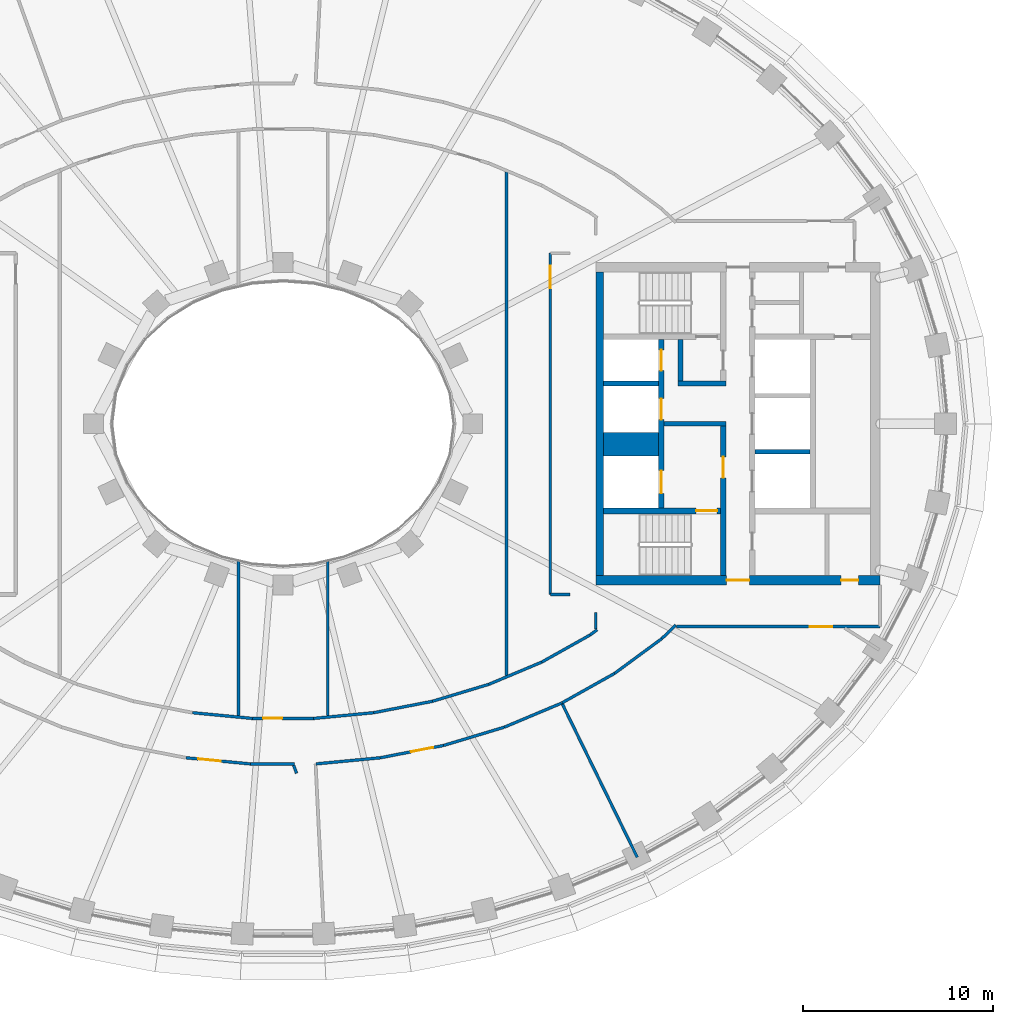
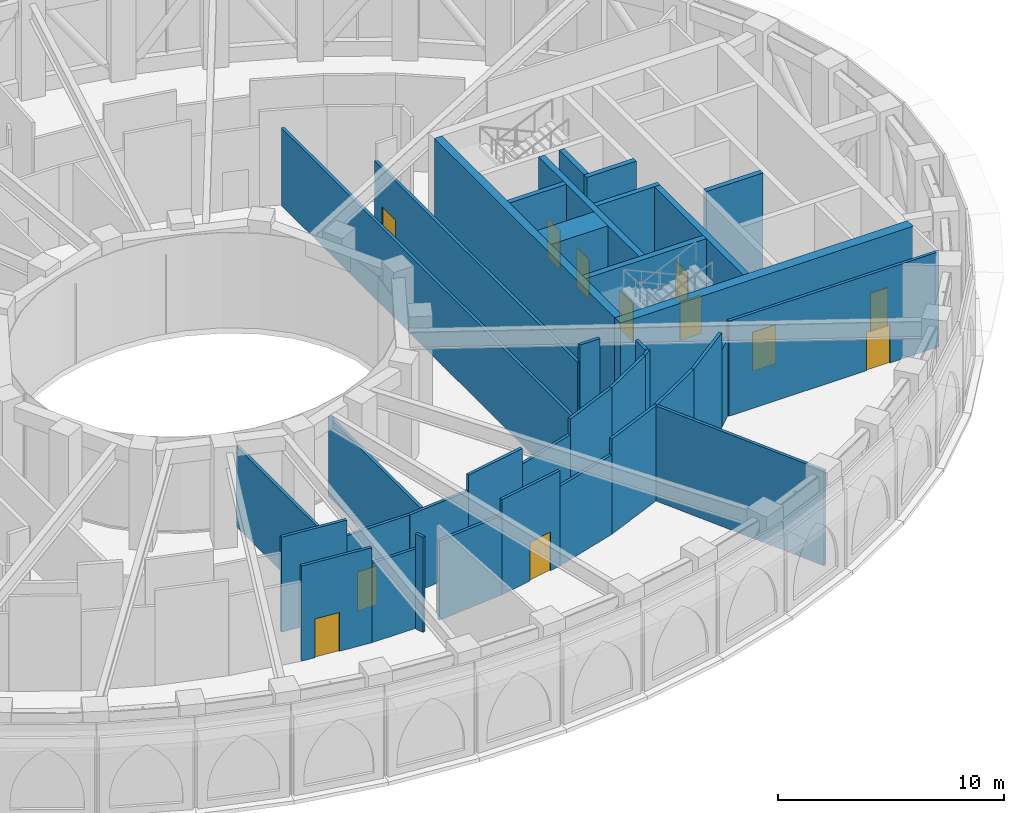
# One storey, part 7 of 25: 37 walls, 12 doors, 12 openings.
"""IFC4 building model written with IfcOpenShell, lengths in metres."""

from ifc_helpers import new_model, si_unit, direction, frame, frame_2d, origin, place, context, subcontext, project, spatial, rectangle, extrude, material, layer, layer_set, type_object, element, fill, save


model = new_model("IFC4")

# Units and contexts
model_context = context("Model", 3, precision=1e-05, world=origin(), true_north=direction((0.0, 1.0)))
body_context = subcontext(model_context, "Body", "Model", "MODEL_VIEW")
ifc_project = project(units=[si_unit("LENGTHUNIT", "METRE"), si_unit("AREAUNIT", "SQUARE_METRE"), si_unit("VOLUMEUNIT", "CUBIC_METRE"), si_unit("PLANEANGLEUNIT", "RADIAN"), si_unit("MASSUNIT", "GRAM", prefix="KILO")], contexts=[model_context])

# Site, building, storey
site_placement = place(None, origin())
site = spatial("IfcSite", under=ifc_project, at=site_placement, CompositionType="ELEMENT")
building_placement = place(site_placement, origin())
building = spatial("IfcBuilding", under=site, at=building_placement, Name="Noorbagh Ring Tower", CompositionType="ELEMENT")
storey_placement = place(building_placement, frame((0.0, 0.0, 198.0)))
storey = spatial("IfcBuildingStorey", under=building, at=storey_placement, Name="L46", CompositionType="ELEMENT", Elevation=198.0)

# Wall, opening, door
ifc_material_1 = material(Name="Gypsum board on steel studs", Category="steel")
ifc_layer_1 = layer(ifc_material_1, 0.14990234375)
ifc_layer_set_1 = layer_set([ifc_layer_1], Name="Gypsum board on steel studs")
wall_type_1 = type_object("IfcWallType", Name="COMPARTMENT PARTITION 150 EI 60", PredefinedType="PARTITIONING", material=ifc_layer_set_1)
wall_1_placement = place(storey_placement, frame((-5.126953125, -17.623046875, 0.0), z_axis=(0.0, 0.0, 1.0), x_axis=(0.995490025265, -0.094866272186, 0.0)))
wall_1 = element("IfcWall", 1, at=wall_1_placement, inside=storey, type_object=wall_type_1, Name="L46/wall/P39", PredefinedType="PARTITIONING", context=body_context, shape_type="SweptSolid", body=[
    extrude(rectangle(XDim=3.42529296875, YDim=0.14990234375, at=frame_2d((1.712646484375, 0.0))), origin(), (0.0, 0.0, 1.0), 5.14990234375),
])
opening_1_placement = place(wall_1_placement, frame((0.64990234375, 0.0, 0.0)))
opening_1 = element("IfcOpeningElement", 2, at=opening_1_placement, cuts=wall_1, Name="Opening D7", PredefinedType="OPENING", context=body_context, shape_type="SweptSolid", body=[
    extrude(rectangle(XDim=1.199951171875, YDim=2.10009765625, at=frame_2d((0.60009765625, 1.050048828125))), frame((0.0, 0.0849609375, 0.0), z_axis=(0.0, -1.0, 0.0), x_axis=(1.0, 0.0, 0.0)), (0.0, 0.0, 1.0), 0.169921875),
])
ifc_material_2 = material(Name="Timber, painted", Category="wood")
door_type_1 = type_object("IfcDoorType", Name="DOOR 1200 X 2100 FD60", OperationType="SINGLE_SWING_LEFT", PredefinedType="DOOR", material=ifc_material_2)
door_1_placement = place(opening_1_placement, origin())
door_1 = element("IfcDoor", 3, at=door_1_placement, inside=storey, type_object=door_type_1, Name="L46-D03", OperationType="SINGLE_SWING_LEFT", OverallHeight=2.10009765625, OverallWidth=1.199951171875, PredefinedType="DOOR", context=body_context, shape_type="SweptSolid", body=[
    extrude(rectangle(XDim=1.199951171875, YDim=2.10009765625, at=frame_2d((0.60009765625, 1.050048828125))), frame((0.0, 0.02490234375, 0.0), z_axis=(0.0, -1.0, 0.0), x_axis=(1.0, 0.0, 0.0)), (0.0, 0.0, 1.0), 0.050048828125),
])
fill(opening_1, door_1)

# Walls
wall_2_placement = place(storey_placement, frame((-4.782958984375, -15.243896484375, 0.0), z_axis=(0.0, 0.0, 1.0), x_axis=(0.995455539839, -0.095227455097, 0.0)))
element("IfcWall", 4, at=wall_2_placement, inside=storey, type_object=wall_type_1, Name="L46/wall/P41", PredefinedType="PARTITIONING", context=body_context, shape_type="SweptSolid", body=[
    extrude(rectangle(XDim=3.1943359375, YDim=0.14990234375, at=frame_2d((1.59716796875, 0.0))), origin(), (0.0, 0.0, 1.0), 5.14990234375),
])
wall_3_placement = place(storey_placement, frame((-2.35693359375, -15.39697265625, 0.0), z_axis=(0.0, 0.0, 1.0), x_axis=(0.0, 1.0, 0.0)))
element("IfcWall", 5, at=wall_3_placement, inside=storey, type_object=wall_type_1, Name="L46/wall/P43", PredefinedType="PARTITIONING", context=body_context, shape_type="SweptSolid", body=[
    extrude(rectangle(XDim=8.18701171875, YDim=0.14990234375, at=frame_2d((4.093505859375, 0.0))), origin(), (0.0, 0.0, 1.0), 4.35009765625),
])
wall_4_placement = place(storey_placement, frame((-1.717041015625, -17.947998046875, 0.0), z_axis=(0.0, 0.0, 1.0), x_axis=(1.0, 0.0, 0.0)))
element("IfcWall", 6, at=wall_4_placement, inside=storey, type_object=wall_type_1, Name="L46/wall/P45", PredefinedType="PARTITIONING", context=body_context, shape_type="SweptSolid", body=[
    extrude(rectangle(XDim=2.330078125, YDim=0.14990234375, at=frame_2d((1.1650390625, 0.0))), origin(), (0.0, 0.0, 1.0), 4.300048828125),
])

# Wall, opening, door
wall_5_placement = place(storey_placement, frame((-1.60302734375, -15.548095703125, 0.0), z_axis=(0.0, 0.0, 1.0), x_axis=(1.0, 0.0, 0.0)))
wall_5 = element("IfcWall", 7, at=wall_5_placement, inside=storey, type_object=wall_type_1, Name="L46/wall/P47", PredefinedType="PARTITIONING", context=body_context, shape_type="SweptSolid", body=[
    extrude(rectangle(XDim=3.2060546875, YDim=0.14990234375, at=frame_2d((1.60302734375, 0.0))), origin(), (0.0, 0.0, 1.0), 4.300048828125),
])
opening_2_placement = place(wall_5_placement, frame((0.555908203125, 0.0, 0.0)))
opening_2 = element("IfcOpeningElement", 8, at=opening_2_placement, cuts=wall_5, Name="Opening D6", PredefinedType="OPENING", context=body_context, shape_type="SweptSolid", body=[
    extrude(rectangle(XDim=1.0, YDim=2.10009765625, at=frame_2d((0.5, 1.050048828125))), frame((0.0, 0.0849609375, 0.0), z_axis=(0.0, -1.0, 0.0), x_axis=(1.0, 0.0, 0.0)), (0.0, 0.0, 1.0), 0.169921875),
])
ifc_material_3 = material(Name="Timber, painted", Category="wood")
door_type_2 = type_object("IfcDoorType", Name="DOOR 1000 X 2100 FD60", OperationType="SINGLE_SWING_LEFT", PredefinedType="DOOR", material=ifc_material_3)
door_2_placement = place(opening_2_placement, origin())
door_2 = element("IfcDoor", 9, at=door_2_placement, inside=storey, type_object=door_type_2, Name="L46-D12", OperationType="SINGLE_SWING_RIGHT", OverallHeight=2.10009765625, OverallWidth=1.0, PredefinedType="DOOR", context=body_context, shape_type="SweptSolid", body=[
    extrude(rectangle(XDim=1.0, YDim=2.10009765625, at=frame_2d((0.5, 1.050048828125))), frame((0.0, 0.02490234375, 0.0), z_axis=(0.0, -1.0, 0.0), x_axis=(1.0, 0.0, 0.0)), (0.0, 0.0, 1.0), 0.050048828125),
])
fill(opening_2, door_2)

# Walls
wall_6_placement = place(storey_placement, frame((0.56005859375, -18.02294921875, 0.0), z_axis=(0.0, 0.0, 1.0), x_axis=(0.339536454316, -0.940592896098, 0.0)))
element("IfcWall", 10, at=wall_6_placement, inside=storey, type_object=wall_type_1, Name="L46/wall/P49", PredefinedType="PARTITIONING", context=body_context, shape_type="SweptSolid", body=[
    extrude(rectangle(XDim=0.4443359375, YDim=0.14990234375, at=frame_2d((0.22216796875, 0.0))), origin(), (0.0, 0.0, 1.0), 5.14990234375),
])
wall_7_placement = place(storey_placement, frame((1.60302734375, -15.548095703125, 0.0), z_axis=(0.0, 0.0, 1.0), x_axis=(0.995455539839, 0.095227455097, 0.0)))
element("IfcWall", 11, at=wall_7_placement, inside=storey, type_object=wall_type_1, Name="L46/wall/P51", PredefinedType="PARTITIONING", context=body_context, shape_type="SweptSolid", body=[
    extrude(rectangle(XDim=3.1943359375, YDim=0.14990234375, at=frame_2d((1.59716796875, 0.0))), origin(), (0.0, 0.0, 1.0), 4.300048828125),
])
wall_8_placement = place(storey_placement, frame((1.737060546875, -17.946044921875, 0.0), z_axis=(0.0, 0.0, 1.0), x_axis=(0.995491282675, 0.094853076484, 0.0)))
element("IfcWall", 12, at=wall_8_placement, inside=storey, type_object=wall_type_1, Name="L46/wall/P55", PredefinedType="PARTITIONING", context=body_context, shape_type="SweptSolid", body=[
    extrude(rectangle(XDim=3.4052734375, YDim=0.14990234375, at=frame_2d((1.70263671875, 0.0))), origin(), (0.0, 0.0, 1.0), 4.300048828125),
])
wall_9_placement = place(storey_placement, frame((2.35693359375, -15.39697265625, 0.0), z_axis=(0.0, 0.0, 1.0), x_axis=(0.0, 1.0, 0.0)))
element("IfcWall", 13, at=wall_9_placement, inside=storey, type_object=wall_type_1, Name="L46/wall/P57", PredefinedType="PARTITIONING", context=body_context, shape_type="SweptSolid", body=[
    extrude(rectangle(XDim=8.18701171875, YDim=0.14990234375, at=frame_2d((4.093505859375, 0.0))), origin(), (0.0, 0.0, 1.0), 4.300048828125),
])
wall_10_placement = place(storey_placement, frame((4.782958984375, -15.243896484375, 0.0), z_axis=(0.0, 0.0, 1.0), x_axis=(0.981672390077, 0.190576280162, 0.0)))
element("IfcWall", 14, at=wall_10_placement, inside=storey, type_object=wall_type_1, Name="L46/wall/P59", PredefinedType="PARTITIONING", context=body_context, shape_type="SweptSolid", body=[
    extrude(rectangle(XDim=3.162841796875, YDim=0.14990234375, at=frame_2d((1.58154296875, 0.0))), origin(), (0.0, 0.0, 1.0), 5.14990234375),
])

# Wall, opening, door
wall_11_placement = place(storey_placement, frame((5.126953125, -17.623046875, 0.0), z_axis=(0.0, 0.0, 1.0), x_axis=(0.981613520879, 0.190879269771, 0.0)))
wall_11 = element("IfcWall", 15, at=wall_11_placement, inside=storey, type_object=wall_type_1, Name="L46/wall/P61", PredefinedType="PARTITIONING", context=body_context, shape_type="SweptSolid", body=[
    extrude(rectangle(XDim=3.399658203125, YDim=0.14990234375, at=frame_2d((1.69970703125, 0.0))), origin(), (0.0, 0.0, 1.0), 5.14990234375),
])
opening_3_placement = place(wall_11_placement, frame((1.64990234375, 0.0, 0.0)))
opening_3 = element("IfcOpeningElement", 16, at=opening_3_placement, cuts=wall_11, Name="Opening D7", PredefinedType="OPENING", context=body_context, shape_type="SweptSolid", body=[
    extrude(rectangle(XDim=1.199951171875, YDim=2.10009765625, at=frame_2d((0.60009765625, 1.050048828125))), frame((0.0, 0.0849609375, 0.0), z_axis=(0.0, -1.0, 0.0), x_axis=(1.0, 0.0, 0.0)), (0.0, 0.0, 1.0), 0.169921875),
])
door_3_placement = place(opening_3_placement, origin())
door_3 = element("IfcDoor", 17, at=door_3_placement, inside=storey, type_object=door_type_1, Name="L46-D06", OperationType="SINGLE_SWING_RIGHT", OverallHeight=2.10009765625, OverallWidth=1.199951171875, PredefinedType="DOOR", context=body_context, shape_type="SweptSolid", body=[
    extrude(rectangle(XDim=1.199951171875, YDim=2.10009765625, at=frame_2d((0.60009765625, 1.050048828125))), frame((0.0, 0.02490234375, 0.0), z_axis=(0.0, -1.0, 0.0), x_axis=(1.0, 0.0, 0.0)), (0.0, 0.0, 1.0), 0.050048828125),
])
fill(opening_3, door_3)

# Walls
wall_12_placement = place(storey_placement, frame((7.887939453125, -14.64111328125, 0.0), z_axis=(0.0, 0.0, 1.0), x_axis=(0.957544770641, 0.28828460281, 0.0)))
element("IfcWall", 18, at=wall_12_placement, inside=storey, type_object=wall_type_1, Name="L46/wall/P63", PredefinedType="PARTITIONING", context=body_context, shape_type="SweptSolid", body=[
    extrude(rectangle(XDim=3.10791015625, YDim=0.14990234375, at=frame_2d((1.553955078125, 0.0))), origin(), (0.0, 0.0, 1.0), 4.300048828125),
])
wall_13_placement = place(storey_placement, frame((8.464111328125, -16.97412109375, 0.0), z_axis=(0.0, 0.0, 1.0), x_axis=(0.957565546192, 0.28821558727, 0.0)))
element("IfcWall", 19, at=wall_13_placement, inside=storey, type_object=wall_type_1, Name="L46/wall/P65", PredefinedType="PARTITIONING", context=body_context, shape_type="SweptSolid", body=[
    extrude(rectangle(XDim=3.355224609375, YDim=0.14990234375, at=frame_2d((1.677734375, 0.0))), origin(), (0.0, 0.0, 1.0), 4.300048828125),
])
wall_14_placement = place(storey_placement, frame((10.864013671875, -13.7451171875, 0.0), z_axis=(0.0, 0.0, 1.0), x_axis=(0.92178263598, 0.387707069843, 0.0)))
element("IfcWall", 20, at=wall_14_placement, inside=storey, type_object=wall_type_1, Name="L46/wall/P67", PredefinedType="PARTITIONING", context=body_context, shape_type="SweptSolid", body=[
    extrude(rectangle(XDim=3.025634765625, YDim=0.14990234375, at=frame_2d((1.5126953125, 0.0))), origin(), (0.0, 0.0, 1.0), 5.14990234375),
])
wall_15_placement = place(storey_placement, frame((11.677001953125, -16.007080078125, 0.0), z_axis=(0.0, 0.0, 1.0), x_axis=(0.921795970681, 0.387675364753, 0.0)))
element("IfcWall", 21, at=wall_15_placement, inside=storey, type_object=wall_type_1, Name="L46/wall/P69", PredefinedType="PARTITIONING", context=body_context, shape_type="SweptSolid", body=[
    extrude(rectangle(XDim=3.289306640625, YDim=0.14990234375, at=frame_2d((1.64453125, 0.0))), origin(), (0.0, 0.0, 1.0), 5.14990234375),
])
wall_16_placement = place(storey_placement, frame((11.785888671875, -13.27294921875, 0.0), z_axis=(0.0, 0.0, 1.0), x_axis=(0.0, 1.0, 0.0)))
element("IfcWall", 22, at=wall_16_placement, inside=storey, type_object=wall_type_1, Name="L46/wall/P71", PredefinedType="PARTITIONING", context=body_context, shape_type="SweptSolid", body=[
    extrude(rectangle(XDim=26.5458984375, YDim=0.14990234375, at=frame_2d((13.27294921875, 0.0))), origin(), (0.0, 0.0, 1.0), 4.199951171875),
])
wall_17_placement = place(storey_placement, frame((13.653076171875, -12.572021484375, 0.0), z_axis=(0.0, 0.0, 1.0), x_axis=(0.872138682379, 0.48925874412, 0.0)))
element("IfcWall", 23, at=wall_17_placement, inside=storey, type_object=wall_type_1, Name="L46/wall/P72", PredefinedType="PARTITIONING", context=body_context, shape_type="SweptSolid", body=[
    extrude(rectangle(XDim=2.91455078125, YDim=0.14990234375, at=frame_2d((1.457275390625, 0.0))), origin(), (0.0, 0.0, 1.0), 5.14990234375),
])

# Wall, opening, door
wall_18_placement = place(storey_placement, frame((14.10009765625, -9.0, 0.0), z_axis=(0.0, 0.0, 1.0), x_axis=(0.0, 1.0, 0.0)))
wall_18 = element("IfcWall", 24, at=wall_18_placement, inside=storey, type_object=wall_type_1, Name="L46/wall/P74", PredefinedType="PARTITIONING", context=body_context, shape_type="SweptSolid", body=[
    extrude(rectangle(XDim=18.0, YDim=0.14990234375, at=frame_2d((9.0, 0.0))), origin(), (0.0, 0.0, 1.0), 4.199951171875),
])
opening_4_placement = place(wall_18_placement, frame((16.14990234375, 0.0, 0.0)))
opening_4 = element("IfcOpeningElement", 25, at=opening_4_placement, cuts=wall_18, Name="Opening D7", PredefinedType="OPENING", context=body_context, shape_type="SweptSolid", body=[
    extrude(rectangle(XDim=1.199951171875, YDim=2.10009765625, at=frame_2d((0.60009765625, 1.050048828125))), frame((0.0, 0.0849609375, 0.0), z_axis=(0.0, -1.0, 0.0), x_axis=(1.0, 0.0, 0.0)), (0.0, 0.0, 1.0), 0.169921875),
])
door_4_placement = place(opening_4_placement, origin())
door_4 = element("IfcDoor", 26, at=door_4_placement, inside=storey, type_object=door_type_1, Name="L46-D15", OperationType="SINGLE_SWING_LEFT", OverallHeight=2.10009765625, OverallWidth=1.199951171875, PredefinedType="DOOR", context=body_context, shape_type="SweptSolid", body=[
    extrude(rectangle(XDim=1.199951171875, YDim=2.10009765625, at=frame_2d((0.60009765625, 1.050048828125))), frame((0.0, 0.02490234375, 0.0), z_axis=(0.0, -1.0, 0.0), x_axis=(1.0, 0.0, 0.0)), (0.0, 0.0, 1.0), 0.050048828125),
])
fill(opening_4, door_4)

# Walls
wall_19_placement = place(storey_placement, frame((14.10009765625, -9.0, 0.0), z_axis=(0.0, 0.0, 1.0), x_axis=(1.0, 0.0, 0.0)))
element("IfcWall", 27, at=wall_19_placement, inside=storey, type_object=wall_type_1, Name="L46/wall/P75", PredefinedType="PARTITIONING", context=body_context, shape_type="SweptSolid", body=[
    extrude(rectangle(XDim=1.033935546875, YDim=0.14990234375, at=frame_2d((0.51708984375, 0.0))), origin(), (0.0, 0.0, 1.0), 5.14990234375),
])
wall_20_placement = place(storey_placement, frame((14.7109375, -14.736083984375, 0.0), z_axis=(0.0, 0.0, 1.0), x_axis=(0.439208198665, -0.898385306105, 0.0)))
element("IfcWall", 28, at=wall_20_placement, inside=storey, type_object=wall_type_1, Name="L46/wall/P78", PredefinedType="PARTITIONING", context=body_context, shape_type="SweptSolid", body=[
    extrude(rectangle(XDim=9.0595703125, YDim=0.14990234375, at=frame_2d((4.52978515625, 0.0))), origin(), (0.0, 0.0, 1.0), 5.14990234375),
])
wall_21_placement = place(storey_placement, frame((14.72607421875, -14.721923828125, 0.0), z_axis=(0.0, 0.0, 1.0), x_axis=(0.872095890511, 0.489335015868, 0.0)))
element("IfcWall", 29, at=wall_21_placement, inside=storey, type_object=wall_type_1, Name="L46/wall/P79", PredefinedType="PARTITIONING", context=body_context, shape_type="SweptSolid", body=[
    extrude(rectangle(XDim=3.1796875, YDim=0.14990234375, at=frame_2d((1.58984375, 0.0))), origin(), (0.0, 0.0, 1.0), 5.14990234375),
])
wall_22_placement = place(storey_placement, frame((16.195068359375, -11.14599609375, 0.0), z_axis=(0.0, 0.0, 1.0), x_axis=(0.804938799391, 0.593357842482, 0.0)))
element("IfcWall", 30, at=wall_22_placement, inside=storey, type_object=wall_type_1, Name="L46/wall/P80", PredefinedType="PARTITIONING", context=body_context, shape_type="SweptSolid", body=[
    extrude(rectangle(XDim=0.471923828125, YDim=0.14990234375, at=frame_2d((0.23583984375, 0.0))), origin(), (0.0, 0.0, 1.0), 5.14990234375),
])
wall_23_placement = place(storey_placement, frame((16.5, -10.827880859375, 0.0), z_axis=(0.0, 0.0, 1.0), x_axis=(0.0, 1.0, 0.0)))
element("IfcWall", 31, at=wall_23_placement, inside=storey, type_object=wall_type_1, Name="L46/wall/P82", PredefinedType="PARTITIONING", context=body_context, shape_type="SweptSolid", body=[
    extrude(rectangle(XDim=0.86376953125, YDim=0.14990234375, at=frame_2d((0.431884765625, 0.0))), origin(), (0.0, 0.0, 1.0), 5.14990234375),
])
wall_24_placement = place(storey_placement, frame((17.4990234375, -13.166015625, 0.0), z_axis=(0.0, 0.0, 1.0), x_axis=(0.805191029373, 0.593015519373, 0.0)))
element("IfcWall", 32, at=wall_24_placement, inside=storey, type_object=wall_type_1, Name="L46/wall/P84", PredefinedType="PARTITIONING", context=body_context, shape_type="SweptSolid", body=[
    extrude(rectangle(XDim=3.0859375, YDim=0.14990234375, at=frame_2d((1.54296875, 0.0))), origin(), (0.0, 0.0, 1.0), 5.14990234375),
])
wall_25_placement = place(storey_placement, frame((19.98388671875, -11.3359375, 0.0), z_axis=(0.0, 0.0, 1.0), x_axis=(0.716971653665, 0.697102322361, 0.0)))
element("IfcWall", 33, at=wall_25_placement, inside=storey, type_object=wall_type_1, Name="L46/wall/P86", PredefinedType="PARTITIONING", context=body_context, shape_type="SweptSolid", body=[
    extrude(rectangle(XDim=1.019775390625, YDim=0.14990234375, at=frame_2d((0.509765625, 0.0))), origin(), (0.0, 0.0, 1.0), 4.199951171875),
])

# Wall, opening, door
wall_26_placement = place(storey_placement, frame((20.74609375, -10.699951171875, 0.0), z_axis=(0.0, 0.0, 1.0), x_axis=(1.0, 0.0, 0.0)))
wall_26 = element("IfcWall", 34, at=wall_26_placement, inside=storey, type_object=wall_type_1, Name="L46/wall/P88", PredefinedType="PARTITIONING", context=body_context, shape_type="SweptSolid", body=[
    extrude(rectangle(XDim=10.75390625, YDim=0.14990234375, at=frame_2d((5.376953125, 0.0))), origin(), (0.0, 0.0, 1.0), 5.14990234375),
])
opening_5_placement = place(wall_26_placement, frame((7.0419921875, 0.0, 0.0)))
opening_5 = element("IfcOpeningElement", 35, at=opening_5_placement, cuts=wall_26, Name="Opening D7", PredefinedType="OPENING", context=body_context, shape_type="SweptSolid", body=[
    extrude(rectangle(XDim=1.199951171875, YDim=2.10009765625, at=frame_2d((0.60009765625, 1.050048828125))), frame((0.0, 0.0849609375, 0.0), z_axis=(0.0, -1.0, 0.0), x_axis=(1.0, 0.0, 0.0)), (0.0, 0.0, 1.0), 0.169921875),
])
door_5_placement = place(opening_5_placement, origin())
door_5 = element("IfcDoor", 36, at=door_5_placement, inside=storey, type_object=door_type_1, Name="L46-D08", OperationType="SINGLE_SWING_RIGHT", OverallHeight=2.10009765625, OverallWidth=1.199951171875, PredefinedType="DOOR", context=body_context, shape_type="SweptSolid", body=[
    extrude(rectangle(XDim=1.199951171875, YDim=2.10009765625, at=frame_2d((0.60009765625, 1.050048828125))), frame((0.0, 0.02490234375, 0.0), z_axis=(0.0, -1.0, 0.0), x_axis=(1.0, 0.0, 0.0)), (0.0, 0.0, 1.0), 0.050048828125),
])
fill(opening_5, door_5)

# Walls
ifc_material_4 = material(Name="Concrete C60/75", Category="concrete")
ifc_layer_2 = layer(ifc_material_4, 1.25)
ifc_layer_set_2 = layer_set([ifc_layer_2], Name="Concrete C60/75")
wall_type_2 = type_object("IfcWallType", Name="CORE-WALL-1250-C60-75-EI120", PredefinedType="SHEAR", material=ifc_layer_set_2)
wall_27_placement = place(storey_placement, frame((16.89990234375, -1.074951171875, 0.0), z_axis=(0.0, 0.0, 1.0), x_axis=(1.0, 0.0, 0.0)))
element("IfcWall", 37, at=wall_27_placement, inside=storey, type_object=wall_type_2, Name="Core wall E", PredefinedType="SHEAR", context=body_context, shape_type="SweptSolid", body=[
    extrude(rectangle(XDim=2.900146484375, YDim=1.25, at=frame_2d((1.4501953125, 0.0))), origin(), (0.0, 0.0, 1.0), 5.14990234375),
])
ifc_material_5 = material(Name="Concrete C60/75", Category="concrete")
ifc_layer_3 = layer(ifc_material_5, 0.25)
ifc_layer_set_3 = layer_set([ifc_layer_3], Name="Concrete C60/75")
wall_type_3 = type_object("IfcWallType", Name="CORE-WALL-250-C60-75-EI120", PredefinedType="SHEAR", material=ifc_layer_set_3)
for number, where, z_axis, x_axis, name in (
    (38, (16.89990234375, 2.125, 0.0), (0.0, 0.0, 1.0), (1.0, 0.0, 0.0), "Core wall E"),
    (39, (24.89990234375, -1.47509765625, 0.0), (0.0, 0.0, 1.0), (1.0, 0.0, 0.0), "Core wall E"),
):
    element("IfcWall", number, at=place(storey_placement, frame(where, z_axis=z_axis, x_axis=x_axis)), inside=storey, type_object=wall_type_3, Name=name, PredefinedType="SHEAR", context=body_context, shape_type="SweptSolid", body=[
        extrude(rectangle(XDim=2.900146484375, YDim=0.25, at=frame_2d((1.4501953125, 0.0))), origin(), (0.0, 0.0, 1.0), 5.14990234375),
    ])
ifc_material_6 = material(Name="Concrete C60/75", Category="concrete")
ifc_layer_4 = layer(ifc_material_6, 0.25)
ifc_layer_set_4 = layer_set([ifc_layer_4], Name="Concrete C60/75")
wall_type_4 = type_object("IfcWallType", Name="CORE-WALL-250-C60-75-EI240", PredefinedType="SHEAR", material=ifc_layer_set_4)
wall_28_placement = place(storey_placement, frame((20.10009765625, 0.0, 0.0), z_axis=(0.0, 0.0, 1.0), x_axis=(1.0, 0.0, 0.0)))
element("IfcWall", 40, at=wall_28_placement, inside=storey, type_object=wall_type_4, Name="Core wall E", PredefinedType="SHEAR", context=body_context, shape_type="SweptSolid", body=[
    extrude(rectangle(XDim=3.27978515625, YDim=0.25, at=frame_2d((1.639892578125, 0.0))), origin(), (0.0, 0.0, 1.0), 5.14990234375),
])
wall_29_placement = place(storey_placement, frame((20.85009765625, 2.125, 0.0), z_axis=(0.0, 0.0, 1.0), x_axis=(1.0, 0.0, 0.0)))
element("IfcWall", 41, at=wall_29_placement, inside=storey, type_object=wall_type_4, Name="Core wall E", PredefinedType="SHEAR", context=body_context, shape_type="SweptSolid", body=[
    extrude(rectangle(XDim=2.52978515625, YDim=0.25, at=frame_2d((1.264892578125, 0.0))), origin(), (0.0, 0.0, 1.0), 5.14990234375),
])
wall_30_placement = place(storey_placement, frame((20.97509765625, 2.25, 0.0), z_axis=(0.0, 0.0, 1.0), x_axis=(0.0, 1.0, 0.0)))
element("IfcWall", 42, at=wall_30_placement, inside=storey, type_object=wall_type_4, Name="Core wall E", PredefinedType="SHEAR", context=body_context, shape_type="SweptSolid", body=[
    extrude(rectangle(XDim=2.199951171875, YDim=0.25, at=frame_2d((1.10009765625, 0.0))), origin(), (0.0, 0.0, 1.0), 5.14990234375),
])

# Wall, openings, doors
ifc_material_7 = material(Name="Concrete C60/75", Category="concrete")
ifc_layer_5 = layer(ifc_material_7, 0.300048828125)
ifc_layer_set_5 = layer_set([ifc_layer_5], Name="Concrete C60/75")
wall_type_5 = type_object("IfcWallType", Name="CORE-WALL-300-C60-75-EI120", PredefinedType="SHEAR", material=ifc_layer_set_5)
wall_31_placement = place(storey_placement, frame((19.949951171875, -4.449951171875, 0.0), z_axis=(0.0, 0.0, 1.0), x_axis=(0.0, 1.0, 0.0)))
wall_31 = element("IfcWall", 43, at=wall_31_placement, inside=storey, type_object=wall_type_5, Name="Core wall E", PredefinedType="SHEAR", context=body_context, shape_type="SweptSolid", body=[
    extrude(rectangle(XDim=8.89990234375, YDim=0.300048828125, at=frame_2d((4.449951171875, 0.0))), origin(), (0.0, 0.0, 1.0), 5.14990234375),
])
opening_6_placement = place(wall_31_placement, frame((0.77490234375, 0.0, 0.0)))
opening_6 = element("IfcOpeningElement", 44, at=opening_6_placement, cuts=wall_31, Name="Opening L46-CE01", PredefinedType="OPENING", context=body_context, shape_type="SweptSolid", body=[
    extrude(rectangle(XDim=1.199951171875, YDim=2.10009765625, at=frame_2d((0.60009765625, 1.050048828125))), frame((0.0, 0.16015625, 0.0), z_axis=(0.0, -1.0, 0.0), x_axis=(1.0, 0.0, 0.0)), (0.0, 0.0, 1.0), 0.320068359375),
])
opening_7_placement = place(wall_31_placement, frame((4.675048828125, 0.0, 0.0)))
opening_7 = element("IfcOpeningElement", 45, at=opening_7_placement, cuts=wall_31, Name="Opening L46-CE02", PredefinedType="OPENING", context=body_context, shape_type="SweptSolid", body=[
    extrude(rectangle(XDim=1.10009765625, YDim=2.10009765625, at=frame_2d((0.550048828125, 1.050048828125))), frame((0.0, 0.16015625, 0.0), z_axis=(0.0, -1.0, 0.0), x_axis=(1.0, 0.0, 0.0)), (0.0, 0.0, 1.0), 0.320068359375),
])
opening_8_placement = place(wall_31_placement, frame((7.25, 0.0, 0.0)))
opening_8 = element("IfcOpeningElement", 46, at=opening_8_placement, cuts=wall_31, Name="Opening L46-CE03", PredefinedType="OPENING", context=body_context, shape_type="SweptSolid", body=[
    extrude(rectangle(XDim=1.10009765625, YDim=2.10009765625, at=frame_2d((0.550048828125, 1.050048828125))), frame((0.0, 0.16015625, 0.0), z_axis=(0.0, -1.0, 0.0), x_axis=(1.0, 0.0, 0.0)), (0.0, 0.0, 1.0), 0.320068359375),
])
ifc_material_8 = material(Name="Steel door leaf", Category="steel")
door_type_3 = type_object("IfcDoorType", Name="CORE-DOOR-LD", OperationType="DOUBLE_DOOR_SLIDING", PredefinedType="DOOR", material=ifc_material_8)
door_6_placement = place(opening_7_placement, origin())
door_6 = element("IfcDoor", 47, at=door_6_placement, inside=storey, type_object=door_type_3, Name="Landing door HR7 L46-CE02", OperationType="DOUBLE_DOOR_SLIDING", OverallHeight=2.10009765625, OverallWidth=1.10009765625, PredefinedType="DOOR", context=body_context, shape_type="SweptSolid", body=[
    extrude(rectangle(XDim=1.10009765625, YDim=2.10009765625, at=frame_2d((0.550048828125, 1.050048828125))), frame((0.0, 0.02490234375, 0.0), z_axis=(0.0, -1.0, 0.0), x_axis=(1.0, 0.0, 0.0)), (0.0, 0.0, 1.0), 0.050048828125),
])
fill(opening_7, door_6)
door_7_placement = place(opening_8_placement, origin())
door_7 = element("IfcDoor", 48, at=door_7_placement, inside=storey, type_object=door_type_3, Name="Landing door HR8 L46-CE03", OperationType="DOUBLE_DOOR_SLIDING", OverallHeight=2.10009765625, OverallWidth=1.10009765625, PredefinedType="DOOR", context=body_context, shape_type="SweptSolid", body=[
    extrude(rectangle(XDim=1.10009765625, YDim=2.10009765625, at=frame_2d((0.550048828125, 1.050048828125))), frame((0.0, 0.02490234375, 0.0), z_axis=(0.0, -1.0, 0.0), x_axis=(1.0, 0.0, 0.0)), (0.0, 0.0, 1.0), 0.050048828125),
])
fill(opening_8, door_7)
ifc_material_9 = material(Name="Steel door leaf", Category="steel")
door_type_4 = type_object("IfcDoorType", Name="CORE-DOOR-LDW", OperationType="DOUBLE_DOOR_SLIDING", PredefinedType="DOOR", material=ifc_material_9)
door_8_placement = place(opening_6_placement, origin())
door_8 = element("IfcDoor", 49, at=door_8_placement, inside=storey, type_object=door_type_4, Name="Landing door FF2 L46-CE01", OperationType="DOUBLE_DOOR_SLIDING", OverallHeight=2.10009765625, OverallWidth=1.199951171875, PredefinedType="DOOR", context=body_context, shape_type="SweptSolid", body=[
    extrude(rectangle(XDim=1.199951171875, YDim=2.10009765625, at=frame_2d((0.60009765625, 1.050048828125))), frame((0.0, 0.02490234375, 0.0), z_axis=(0.0, -1.0, 0.0), x_axis=(1.0, 0.0, 0.0)), (0.0, 0.0, 1.0), 0.050048828125),
])
fill(opening_6, door_8)

# Wall, opening, door
ifc_material_10 = material(Name="Concrete C60/75", Category="concrete")
ifc_layer_6 = layer(ifc_material_10, 0.300048828125)
ifc_layer_set_6 = layer_set([ifc_layer_6], Name="Concrete C60/75")
wall_type_6 = type_object("IfcWallType", Name="CORE-WALL-300-C60-75-EI240", PredefinedType="SHEAR", material=ifc_layer_set_6)
wall_32_placement = place(storey_placement, frame((23.22998046875, -8.0, 0.0), z_axis=(0.0, 0.0, 1.0), x_axis=(0.0, 1.0, 0.0)))
wall_32 = element("IfcWall", 50, at=wall_32_placement, inside=storey, type_object=wall_type_6, Name="Core wall E", PredefinedType="SHEAR", context=body_context, shape_type="SweptSolid", body=[
    extrude(rectangle(XDim=7.875, YDim=0.300048828125, at=frame_2d((3.9375, 0.0))), origin(), (0.0, 0.0, 1.0), 5.14990234375),
])
opening_9_placement = place(wall_32_placement, frame((5.14990234375, 0.0, 0.0)))
opening_9 = element("IfcOpeningElement", 51, at=opening_9_placement, cuts=wall_32, Name="Opening L46-CE09", PredefinedType="OPENING", context=body_context, shape_type="SweptSolid", body=[
    extrude(rectangle(XDim=1.10009765625, YDim=2.10009765625, at=frame_2d((0.550048828125, 1.050048828125))), frame((0.0, 0.16015625, 0.0), z_axis=(0.0, -1.0, 0.0), x_axis=(1.0, 0.0, 0.0)), (0.0, 0.0, 1.0), 0.320068359375),
])
ifc_material_11 = material(Name="Steel door leaf", Category="steel")
door_type_5 = type_object("IfcDoorType", Name="CORE-DOOR-DFF", OperationType="SINGLE_SWING_LEFT", PredefinedType="DOOR", material=ifc_material_11)
door_9_placement = place(opening_9_placement, origin())
door_9 = element("IfcDoor", 52, at=door_9_placement, inside=storey, type_object=door_type_5, Name="Firefighting lobby door L46-CE09", OperationType="SINGLE_SWING_RIGHT", OverallHeight=2.10009765625, OverallWidth=1.10009765625, PredefinedType="DOOR", context=body_context, shape_type="SweptSolid", body=[
    extrude(rectangle(XDim=1.10009765625, YDim=2.10009765625, at=frame_2d((0.550048828125, 1.050048828125))), frame((0.0, 0.02490234375, 0.0), z_axis=(0.0, -1.0, 0.0), x_axis=(1.0, 0.0, 0.0)), (0.0, 0.0, 1.0), 0.050048828125),
])
fill(opening_9, door_9)

wall_33_placement = place(storey_placement, frame((16.89990234375, -4.60009765625, 0.0), z_axis=(0.0, 0.0, 1.0), x_axis=(1.0, 0.0, 0.0)))
wall_33 = element("IfcWall", 53, at=wall_33_placement, inside=storey, type_object=wall_type_6, Name="Core wall E", PredefinedType="SHEAR", context=body_context, shape_type="SweptSolid", body=[
    extrude(rectangle(XDim=6.18017578125, YDim=0.300048828125, at=frame_2d((3.090087890625, 0.0))), origin(), (0.0, 0.0, 1.0), 5.14990234375),
])
opening_10_placement = place(wall_33_placement, frame((4.89990234375, 0.0, 0.0)))
opening_10 = element("IfcOpeningElement", 54, at=opening_10_placement, cuts=wall_33, Name="Opening L46-CE08", PredefinedType="OPENING", context=body_context, shape_type="SweptSolid", body=[
    extrude(rectangle(XDim=1.10009765625, YDim=2.10009765625, at=frame_2d((0.550048828125, 1.050048828125))), frame((0.0, 0.16015625, 0.0), z_axis=(0.0, -1.0, 0.0), x_axis=(1.0, 0.0, 0.0)), (0.0, 0.0, 1.0), 0.320068359375),
])
ifc_material_12 = material(Name="Steel door leaf", Category="steel")
door_type_6 = type_object("IfcDoorType", Name="CORE-DOOR-DSTAIR", OperationType="SINGLE_SWING_LEFT", PredefinedType="DOOR", material=ifc_material_12)
door_10_placement = place(opening_10_placement, origin())
door_10 = element("IfcDoor", 55, at=door_10_placement, inside=storey, type_object=door_type_6, Name="Stair door ST4 L46-CE08", OperationType="SINGLE_SWING_RIGHT", OverallHeight=2.10009765625, OverallWidth=1.10009765625, PredefinedType="DOOR", context=body_context, shape_type="SweptSolid", body=[
    extrude(rectangle(XDim=1.10009765625, YDim=2.10009765625, at=frame_2d((0.550048828125, 1.050048828125))), frame((0.0, 0.02490234375, 0.0), z_axis=(0.0, -1.0, 0.0), x_axis=(1.0, 0.0, 0.0)), (0.0, 0.0, 1.0), 0.050048828125),
])
fill(opening_10, door_10)

# Wall
ifc_material_13 = material(Name="Concrete C60/75", Category="concrete")
ifc_layer_7 = layer(ifc_material_13, 0.39990234375)
ifc_layer_set_7 = layer_set([ifc_layer_7], Name="Concrete C60/75")
wall_type_7 = type_object("IfcWallType", Name="CORE-WALL-400-C60-75-EI240", PredefinedType="SHEAR", material=ifc_layer_set_7)
wall_34_placement = place(storey_placement, frame((16.699951171875, -8.0, 0.0), z_axis=(0.0, 0.0, 1.0), x_axis=(0.0, 1.0, 0.0)))
element("IfcWall", 56, at=wall_34_placement, inside=storey, type_object=wall_type_7, Name="Core wall E", PredefinedType="SHEAR", context=body_context, shape_type="SweptSolid", body=[
    extrude(rectangle(XDim=16.0, YDim=0.39990234375, at=frame_2d((8.0, 0.0))), origin(), (0.0, 0.0, 1.0), 5.14990234375),
])

# Wall, openings, doors
ifc_material_14 = material(Name="Concrete C60/75", Category="concrete")
ifc_layer_8 = layer(ifc_material_14, 0.5)
ifc_layer_set_8 = layer_set([ifc_layer_8], Name="Concrete C60/75")
wall_type_8 = type_object("IfcWallType", Name="CORE-WALL-500-C60-75-EI240", PredefinedType="SHEAR", material=ifc_layer_set_8)
wall_35_placement = place(storey_placement, frame((16.5, -8.25, 0.0), z_axis=(0.0, 0.0, 1.0), x_axis=(1.0, 0.0, 0.0)))
wall_35 = element("IfcWall", 57, at=wall_35_placement, inside=storey, type_object=wall_type_8, Name="Core wall E", PredefinedType="SHEAR", context=body_context, shape_type="SweptSolid", body=[
    extrude(rectangle(XDim=15.0, YDim=0.5, at=frame_2d((7.5, 0.0))), origin(), (0.0, 0.0, 1.0), 5.14990234375),
])
opening_11_placement = place(wall_35_placement, frame((6.89990234375, 0.0, 0.0)))
opening_11 = element("IfcOpeningElement", 58, at=opening_11_placement, cuts=wall_35, Name="Opening L46-CE12", PredefinedType="OPENING", context=body_context, shape_type="SweptSolid", body=[
    extrude(rectangle(XDim=1.199951171875, YDim=2.10009765625, at=frame_2d((0.60009765625, 1.050048828125))), frame((0.0, 0.260009765625, 0.0), z_axis=(0.0, -1.0, 0.0), x_axis=(1.0, 0.0, 0.0)), (0.0, 0.0, 1.0), 0.52001953125),
])
opening_12_placement = place(wall_35_placement, frame((12.949951171875, 0.0, 0.0)))
opening_12 = element("IfcOpeningElement", 59, at=opening_12_placement, cuts=wall_35, Name="Opening L46-CE17", PredefinedType="OPENING", context=body_context, shape_type="SweptSolid", body=[
    extrude(rectangle(XDim=0.89990234375, YDim=2.10009765625, at=frame_2d((0.449951171875, 1.050048828125))), frame((0.0, 0.260009765625, 0.0), z_axis=(0.0, -1.0, 0.0), x_axis=(1.0, 0.0, 0.0)), (0.0, 0.0, 1.0), 0.52001953125),
])
ifc_material_15 = material(Name="Steel door leaf", Category="steel")
door_type_7 = type_object("IfcDoorType", Name="CORE-DOOR-DROOM", OperationType="SINGLE_SWING_LEFT", PredefinedType="DOOR", material=ifc_material_15)
door_11_placement = place(opening_12_placement, origin())
door_11 = element("IfcDoor", 60, at=door_11_placement, inside=storey, type_object=door_type_7, Name="Core room door L46-CE17", OperationType="SINGLE_SWING_RIGHT", OverallHeight=2.10009765625, OverallWidth=0.89990234375, PredefinedType="DOOR", context=body_context, shape_type="SweptSolid", body=[
    extrude(rectangle(XDim=0.89990234375, YDim=2.10009765625, at=frame_2d((0.449951171875, 1.050048828125))), frame((0.0, 0.02490234375, 0.0), z_axis=(0.0, -1.0, 0.0), x_axis=(1.0, 0.0, 0.0)), (0.0, 0.0, 1.0), 0.050048828125),
])
fill(opening_12, door_11)
ifc_material_16 = material(Name="Steel door leaf", Category="steel")
door_type_8 = type_object("IfcDoorType", Name="CORE-DOOR-PORT", OperationType="DOUBLE_DOOR_DOUBLE_SWING", PredefinedType="DOOR", material=ifc_material_16)
door_12_placement = place(opening_11_placement, origin())
door_12 = element("IfcDoor", 61, at=door_12_placement, inside=storey, type_object=door_type_8, Name="Core entrance door L46-CE12", OperationType="DOUBLE_DOOR_DOUBLE_SWING", OverallHeight=2.10009765625, OverallWidth=1.199951171875, PredefinedType="DOOR", context=body_context, shape_type="SweptSolid", body=[
    extrude(rectangle(XDim=1.199951171875, YDim=2.10009765625, at=frame_2d((0.60009765625, 1.050048828125))), frame((0.0, 0.02490234375, 0.0), z_axis=(0.0, -1.0, 0.0), x_axis=(1.0, 0.0, 0.0)), (0.0, 0.0, 1.0), 0.050048828125),
])
fill(opening_11, door_12)

save(model, "model.ifc")
